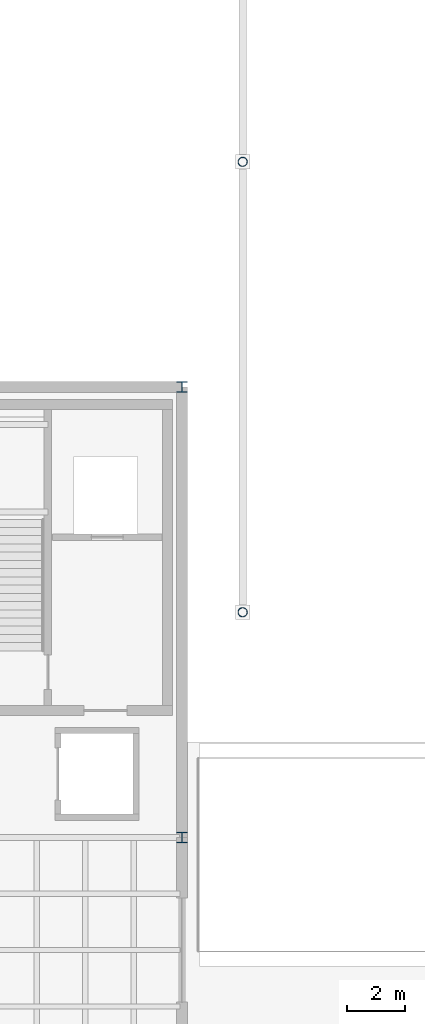
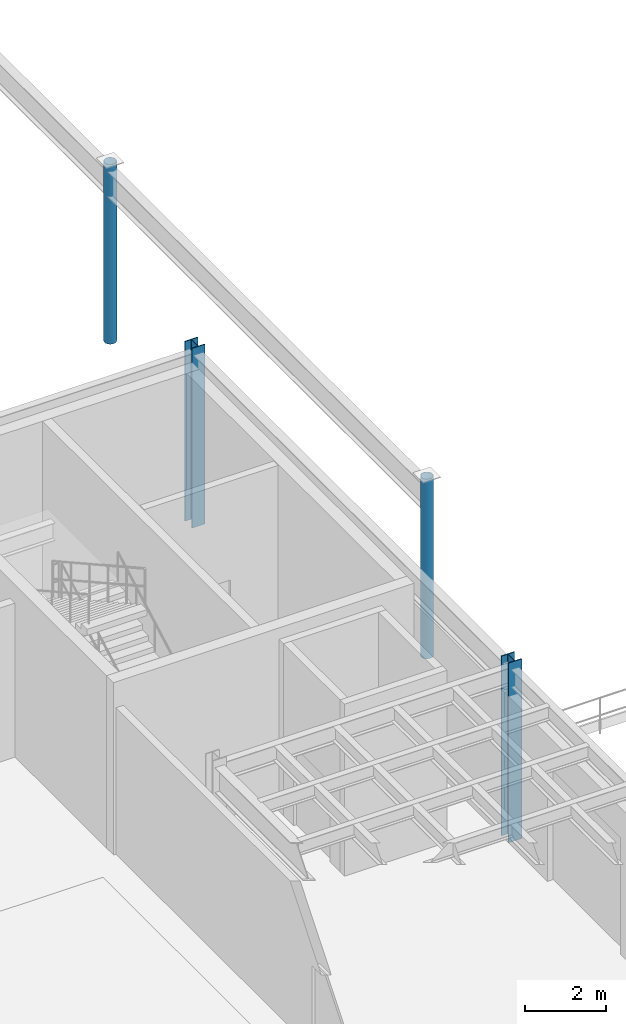
# One storey, part 10 of 87: 4 columns.
"""IFC4 building model written with IfcOpenShell, lengths in metres."""

from ifc_helpers import new_model, si_unit, direction, frame, origin, origin_2d, place, context, subcontext, project, spatial, hollow_circle, i_section, extrude, material, material_profile, profile_set, type_object, element, save


model = new_model("IFC4")

# Units and contexts
model_context = context("Model", 3, precision=1e-05, world=origin(), true_north=direction((0.0, 1.0)))
body_context = subcontext(model_context, "Body", "Model", "MODEL_VIEW")
ifc_project = project(units=[si_unit("LENGTHUNIT", "METRE"), si_unit("AREAUNIT", "SQUARE_METRE"), si_unit("VOLUMEUNIT", "CUBIC_METRE"), si_unit("PLANEANGLEUNIT", "RADIAN"), si_unit("MASSUNIT", "GRAM", prefix="KILO")], contexts=[model_context])

# Site, building, storey
site_placement = place(None, origin())
site = spatial("IfcSite", under=ifc_project, at=site_placement, CompositionType="ELEMENT")
building_placement = place(site_placement, origin())
building = spatial("IfcBuilding", under=site, at=building_placement, Name="Selat Folded Stagehouse", CompositionType="ELEMENT")
storey_placement = place(building_placement, origin())
storey = spatial("IfcBuildingStorey", under=building, at=storey_placement, Name="L00", CompositionType="ELEMENT", Elevation=0.0)

# Columns
ifc_material = material(Name="Steel S355", Category="steel")
ifc_material_profile_1 = material_profile(ifc_material, hollow_circle(Radius=0.161865234375, WallThickness=0.012451171875, at=origin_2d()), Name="CHS 323.9x12.5")
ifc_profile_set_1 = profile_set([ifc_material_profile_1], Name="Steel S355")
column_type_1 = type_object("IfcColumnType", Name="COL-CHS-323x12.5", PredefinedType="COLUMN", material=ifc_profile_set_1)
for number, where, z_axis, x_axis, name in (
    (1, (69.300048828125, 46.800048828125, 0.0), (0.0, 0.0, 1.0), (1.0, 0.0, 0.0), "L00 column STK-BR1-468"),
    (2, (69.300048828125, 62.39990234375, 0.0), (0.0, 0.0, 1.0), (1.0, 0.0, 0.0), "L00 column STK-BR1-624"),
):
    element("IfcColumn", number, at=place(storey_placement, frame(where, z_axis=z_axis, x_axis=x_axis)), inside=storey, type_object=column_type_1, Name=name, PredefinedType="COLUMN", context=body_context, shape_type="SweptSolid", body=[
        extrude(hollow_circle(Radius=0.161865234375, WallThickness=0.012451171875, at=origin_2d()), origin(), (0.0, 0.0, 1.0), 5.39990234375),
    ])
ifc_material_profile_2 = material_profile(ifc_material, i_section(OverallWidth=0.374755859375, OverallDepth=0.37451171875, WebThickness=0.0166015625, FlangeThickness=0.027099609375, FilletRadius=0.01513671875, at=origin_2d()), Name="UKC 356x368x202")
ifc_profile_set_2 = profile_set([ifc_material_profile_2], Name="Steel S355")
column_type_2 = type_object("IfcColumnType", Name="COL-UKC-356x368x202", PredefinedType="COLUMN", material=ifc_profile_set_2)
for number, where, z_axis, x_axis, name in (
    (3, (67.199951171875, 39.0, 0.0), (0.0, 0.0, 1.0), (1.0, 0.0, 0.0), "L00 column STK-V2-23"),
    (4, (67.199951171875, 54.60009765625, 0.0), (0.0, 0.0, 1.0), (1.0, 0.0, 0.0), "L00 column STK-V2-24"),
):
    element("IfcColumn", number, at=place(storey_placement, frame(where, z_axis=z_axis, x_axis=x_axis)), inside=storey, type_object=column_type_2, Name=name, PredefinedType="COLUMN", context=body_context, shape_type="SweptSolid", body=[
        extrude(i_section(OverallWidth=0.374755859375, OverallDepth=0.37451171875, WebThickness=0.0166015625, FlangeThickness=0.027099609375, FilletRadius=0.01513671875, at=origin_2d()), origin(), (0.0, 0.0, 1.0), 5.39990234375),
    ])

save(model, "model.ifc")
